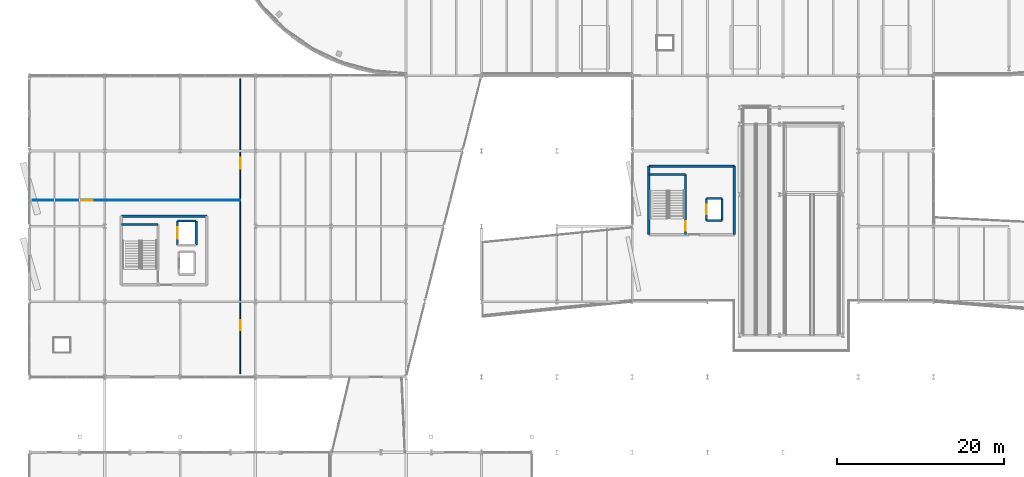
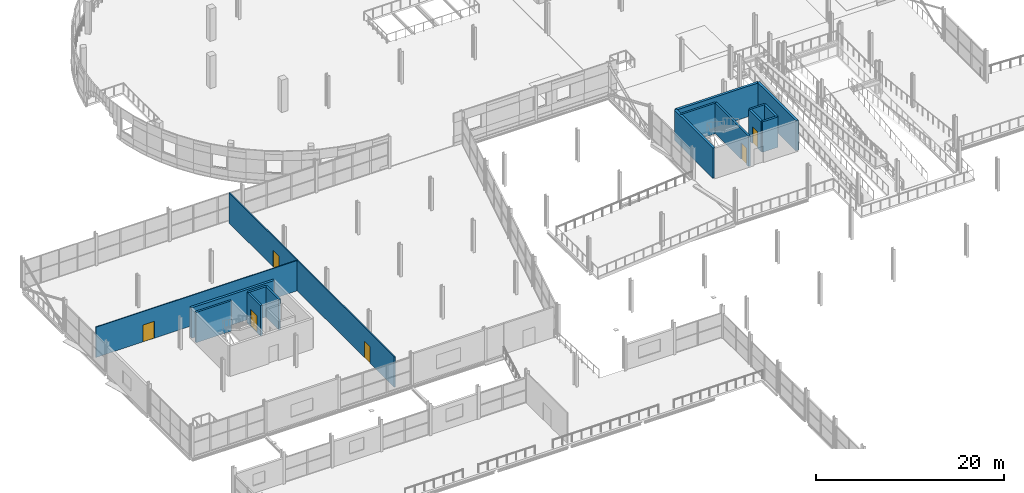
# One storey, part 114 of 135: 16 walls, 6 doors, 6 openings.
"""IFC4 building model written with IfcOpenShell, lengths in metres."""

from ifc_helpers import new_model, si_unit, direction, frame, frame_2d, origin, place, context, subcontext, project, spatial, rectangle, extrude, material, layer, layer_set, type_object, element, fill, save


model = new_model("IFC4")

# Units and contexts
model_context = context("Model", 3, precision=1e-05, world=origin(), true_north=direction((0.0, 1.0)))
body_context = subcontext(model_context, "Body", "Model", "MODEL_VIEW")
ifc_project = project(units=[si_unit("LENGTHUNIT", "METRE"), si_unit("AREAUNIT", "SQUARE_METRE"), si_unit("VOLUMEUNIT", "CUBIC_METRE"), si_unit("PLANEANGLEUNIT", "RADIAN"), si_unit("MASSUNIT", "GRAM", prefix="KILO")], contexts=[model_context])

# Site, building, storey
site_placement = place(None, origin())
site = spatial("IfcSite", under=ifc_project, at=site_placement, CompositionType="ELEMENT")
building_placement = place(site_placement, origin())
building = spatial("IfcBuilding", under=site, at=building_placement, Name="Deido Ridge Mobility Hub", CompositionType="ELEMENT")
storey_placement = place(building_placement, frame((0.0, 0.0, 4.199951171875)))
storey = spatial("IfcBuildingStorey", under=building, at=storey_placement, Name="L01", CompositionType="ELEMENT", Elevation=4.199951171875)

# Wall, opening, door
ifc_material_1 = material(Name="Concrete blockwork masonry", Category="masonry")
ifc_layer_1 = layer(ifc_material_1, 0.110107421875, Name="Concrete blockwork masonry")
ifc_layer_set_1 = layer_set([ifc_layer_1], Name="Concrete blockwork masonry")
wall_type_1 = type_object("IfcWallType", Name="WL-PRT-BLK-110", PredefinedType="PARTITIONING", material=ifc_layer_set_1)
wall_1_placement = place(storey_placement, frame((0.39990234375, 66.10009765625, 0.0), z_axis=(0.0, 0.0, 1.0), x_axis=(1.0, 0.0, 0.0)))
wall_1 = element("IfcWall", 1, at=wall_1_placement, inside=storey, type_object=wall_type_1, Name="V5 west cross partition (L01)", PredefinedType="PARTITIONING", context=body_context, shape_type="SweptSolid", body=[
    extrude(rectangle(XDim=24.800048828125, YDim=0.110107421875, at=frame_2d((12.39990234375, 0.0))), origin(), (0.0, 0.0, 1.0), 3.945068359375),
])
opening_1_placement = place(wall_1_placement, frame((5.800048828125, 0.0, 0.0)))
opening_1 = element("IfcOpeningElement", 2, at=opening_1_placement, cuts=wall_1, Name="Opening DR-L01-209", PredefinedType="OPENING", context=body_context, shape_type="SweptSolid", body=[
    extrude(rectangle(XDim=1.3798828125, YDim=2.199951171875, at=frame_2d((0.68994140625, 1.10009765625))), frame((0.0, 0.06494140625, 0.0), z_axis=(0.0, -1.0, 0.0), x_axis=(1.0, 0.0, 0.0)), (0.0, 0.0, 1.0), 0.130126953125),
])
ifc_material_2 = material(Name="Treated tropical hardwood timber D40", Category="wood")
door_type_1 = type_object("IfcDoorType", Name="DR-INT-1380X2200", OperationType="NOTDEFINED", PredefinedType="DOOR", material=ifc_material_2)
door_1_placement = place(opening_1_placement, origin())
door_1 = element("IfcDoor", 3, at=door_1_placement, inside=storey, type_object=door_type_1, Name="DR-I0209 V5 west cross door (L01)", OperationType="SINGLE_SWING_RIGHT", OverallHeight=2.199951171875, OverallWidth=1.3798828125, PredefinedType="DOOR", context=body_context, shape_type="SweptSolid", body=[
    extrude(rectangle(XDim=1.3798828125, YDim=2.199951171875, at=frame_2d((0.68994140625, 1.10009765625))), frame((0.0, 0.02490234375, 0.0), z_axis=(0.0, -1.0, 0.0), x_axis=(1.0, 0.0, 0.0)), (0.0, 0.0, 1.0), 0.050048828125),
])
fill(opening_1, door_1)

# Wall, openings, doors
ifc_layer_2 = layer(ifc_material_1, 0.139892578125, Name="Concrete blockwork masonry")
ifc_layer_set_2 = layer_set([ifc_layer_2], Name="Concrete blockwork masonry")
wall_type_2 = type_object("IfcWallType", Name="WL-PRT-BLK-140", PredefinedType="PARTITIONING", material=ifc_layer_set_2)
wall_2_placement = place(storey_placement, frame((25.199951171875, 45.39990234375, 0.0), z_axis=(0.0, 0.0, 1.0), x_axis=(0.0, 1.0, 0.0)))
wall_2 = element("IfcWall", 4, at=wall_2_placement, inside=storey, type_object=wall_type_2, Name="V5 hall longitudinal partition (L01)", PredefinedType="PARTITIONING", context=body_context, shape_type="SweptSolid", body=[
    extrude(rectangle(XDim=35.2001953125, YDim=0.139892578125, at=frame_2d((17.60009765625, 0.0))), origin(), (0.0, 0.0, 1.0), 3.945068359375),
])
opening_2_placement = place(wall_2_placement, frame((5.199951171875, 0.0, 0.0)))
opening_2 = element("IfcOpeningElement", 5, at=opening_2_placement, cuts=wall_2, Name="Opening DR-L01-207", PredefinedType="OPENING", context=body_context, shape_type="SweptSolid", body=[
    extrude(rectangle(XDim=1.179931640625, YDim=2.14990234375, at=frame_2d((0.58984375, 1.074951171875))), frame((0.0, 0.080078125, 0.0), z_axis=(0.0, -1.0, 0.0), x_axis=(1.0, 0.0, 0.0)), (0.0, 0.0, 1.0), 0.159912109375),
])
opening_3_placement = place(wall_2_placement, frame((24.5, 0.0, 0.0)))
opening_3 = element("IfcOpeningElement", 6, at=opening_3_placement, cuts=wall_2, Name="Opening DR-L01-208", PredefinedType="OPENING", context=body_context, shape_type="SweptSolid", body=[
    extrude(rectangle(XDim=1.280029296875, YDim=2.179931640625, at=frame_2d((0.64013671875, 1.08984375))), frame((0.0, 0.080078125, 0.0), z_axis=(0.0, -1.0, 0.0), x_axis=(1.0, 0.0, 0.0)), (0.0, 0.0, 1.0), 0.159912109375),
])
door_type_2 = type_object("IfcDoorType", Name="DR-INT-1180X2150", OperationType="NOTDEFINED", PredefinedType="DOOR", material=ifc_material_2)
door_2_placement = place(opening_2_placement, origin())
door_2 = element("IfcDoor", 7, at=door_2_placement, inside=storey, type_object=door_type_2, Name="DR-I0207 V5 south hall door (L01)", OperationType="SINGLE_SWING_RIGHT", OverallHeight=2.14990234375, OverallWidth=1.179931640625, PredefinedType="DOOR", context=body_context, shape_type="SweptSolid", body=[
    extrude(rectangle(XDim=1.179931640625, YDim=2.14990234375, at=frame_2d((0.58984375, 1.074951171875))), frame((0.0, 0.02490234375, 0.0), z_axis=(0.0, -1.0, 0.0), x_axis=(1.0, 0.0, 0.0)), (0.0, 0.0, 1.0), 0.050048828125),
])
fill(opening_2, door_2)
door_type_3 = type_object("IfcDoorType", Name="DR-INT-1280X2180", OperationType="NOTDEFINED", PredefinedType="DOOR", material=ifc_material_2)
door_3_placement = place(opening_3_placement, origin())
door_3 = element("IfcDoor", 8, at=door_3_placement, inside=storey, type_object=door_type_3, Name="DR-I0208 V5 north hall door (L01)", OperationType="SINGLE_SWING_LEFT", OverallHeight=2.179931640625, OverallWidth=1.280029296875, PredefinedType="DOOR", context=body_context, shape_type="SweptSolid", body=[
    extrude(rectangle(XDim=1.280029296875, YDim=2.179931640625, at=frame_2d((0.64013671875, 1.08984375))), frame((0.0, 0.02490234375, 0.0), z_axis=(0.0, -1.0, 0.0), x_axis=(1.0, 0.0, 0.0)), (0.0, 0.0, 1.0), 0.050048828125),
])
fill(opening_3, door_3)

# Wall, opening, door
ifc_material_3 = material(Name="Concrete C40/50", Category="concrete")
ifc_layer_3 = layer(ifc_material_3, 0.25, Name="Concrete C40/50")
ifc_layer_set_3 = layer_set([ifc_layer_3], Name="Concrete C40/50")
wall_type_3 = type_object("IfcWallType", Name="WL-SHR-RC-250", PredefinedType="SHEAR", material=ifc_layer_set_3)
wall_3_placement = place(storey_placement, frame((78.360107421875, 62.0, 0.0), z_axis=(0.0, 0.0, 1.0), x_axis=(0.0, 1.0, 0.0)))
wall_3 = element("IfcWall", 9, at=wall_3_placement, inside=storey, type_object=wall_type_3, Name="C4 stair shaft east wall", PredefinedType="SHEAR", context=body_context, shape_type="SweptSolid", body=[
    extrude(rectangle(XDim=7.199951171875, YDim=0.25, at=frame_2d((3.60009765625, 0.0))), origin(), (0.0, 0.0, 1.0), 3.945068359375),
])
opening_4_placement = place(wall_3_placement, frame((0.449951171875, 0.0, 0.0)))
opening_4 = element("IfcOpeningElement", 10, at=opening_4_placement, cuts=wall_3, Name="Opening FD-C4-L01", PredefinedType="OPENING", context=body_context, shape_type="SweptSolid", body=[
    extrude(rectangle(XDim=1.14990234375, YDim=2.14990234375, at=frame_2d((0.574951171875, 1.074951171875))), frame((0.0, 0.135009765625, 0.0), z_axis=(0.0, -1.0, 0.0), x_axis=(1.0, 0.0, 0.0)), (0.0, 0.0, 1.0), 0.27001953125),
])
ifc_material_4 = material(Name="Galvanised steel work", Category="steel")
door_type_4 = type_object("IfcDoorType", Name="DR-FD60-1150X2150", OperationType="NOTDEFINED", PredefinedType="DOOR", material=ifc_material_4)
door_4_placement = place(opening_4_placement, origin())
door_4 = element("IfcDoor", 11, at=door_4_placement, inside=storey, type_object=door_type_4, Name="DR-I0085 C4 protected stair door (L01)", OperationType="SINGLE_SWING_LEFT", OverallHeight=2.14990234375, OverallWidth=1.14990234375, PredefinedType="DOOR", context=body_context, shape_type="SweptSolid", body=[
    extrude(rectangle(XDim=1.14990234375, YDim=2.14990234375, at=frame_2d((0.574951171875, 1.074951171875))), frame((0.0, 0.02490234375, 0.0), z_axis=(0.0, -1.0, 0.0), x_axis=(1.0, 0.0, 0.0)), (0.0, 0.0, 1.0), 0.050048828125),
])
fill(opening_4, door_4)

# Walls
wall_4_placement = place(storey_placement, frame((74.0, 69.199951171875, 0.0), z_axis=(0.0, 0.0, 1.0), x_axis=(1.0, 0.0, 0.0)))
element("IfcWall", 12, at=wall_4_placement, inside=storey, type_object=wall_type_3, Name="C4 stair shaft north wall", PredefinedType="SHEAR", context=body_context, shape_type="SweptSolid", body=[
    extrude(rectangle(XDim=4.360107421875, YDim=0.25, at=frame_2d((2.18017578125, 0.0))), origin(), (0.0, 0.0, 1.0), 3.945068359375),
])
for number, where, z_axis, x_axis, name in (
    (13, (80.875, 63.675048828125, 0.0), (0.0, 0.0, 1.0), (1.0, 0.0, 0.0), "Lift PL2 south shaft wall"),
    (14, (80.875, 66.324951171875, 0.0), (0.0, 0.0, 1.0), (1.0, 0.0, 0.0), "Lift PL2 north shaft wall"),
):
    element("IfcWall", number, at=place(storey_placement, frame(where, z_axis=z_axis, x_axis=x_axis)), inside=storey, type_object=wall_type_3, Name=name, PredefinedType="SHEAR", context=body_context, shape_type="SweptSolid", body=[
        extrude(rectangle(XDim=1.85009765625, YDim=0.25, at=frame_2d((0.925048828125, 0.0))), origin(), (0.0, 0.0, 1.0), 3.945068359375),
    ])
wall_5_placement = place(storey_placement, frame((82.72509765625, 63.675048828125, 0.0), z_axis=(0.0, 0.0, 1.0), x_axis=(0.0, 1.0, 0.0)))
element("IfcWall", 15, at=wall_5_placement, inside=storey, type_object=wall_type_3, Name="Lift PL2 rear shaft wall", PredefinedType="SHEAR", context=body_context, shape_type="SweptSolid", body=[
    extrude(rectangle(XDim=2.64990234375, YDim=0.25, at=frame_2d((1.324951171875, 0.0))), origin(), (0.0, 0.0, 1.0), 3.945068359375),
])

# Wall, opening, door
wall_6_placement = place(storey_placement, frame((80.875, 63.675048828125, 0.0), z_axis=(0.0, 0.0, 1.0), x_axis=(0.0, 1.0, 0.0)))
wall_6 = element("IfcWall", 16, at=wall_6_placement, inside=storey, type_object=wall_type_3, Name="Lift PL2 landing wall", PredefinedType="SHEAR", context=body_context, shape_type="SweptSolid", body=[
    extrude(rectangle(XDim=2.64990234375, YDim=0.25, at=frame_2d((1.324951171875, 0.0))), origin(), (0.0, 0.0, 1.0), 3.945068359375),
])
opening_5_placement = place(wall_6_placement, frame((0.77490234375, 0.0, 0.0)))
opening_5 = element("IfcOpeningElement", 17, at=opening_5_placement, cuts=wall_6, Name="Opening LD-PL2", PredefinedType="OPENING", context=body_context, shape_type="SweptSolid", body=[
    extrude(rectangle(XDim=1.10009765625, YDim=2.14990234375, at=frame_2d((0.550048828125, 1.074951171875))), frame((0.0, 0.135009765625, 0.0), z_axis=(0.0, -1.0, 0.0), x_axis=(1.0, 0.0, 0.0)), (0.0, 0.0, 1.0), 0.27001953125),
])
ifc_material_5 = material(Name="Stainless steel 316", Category="steel")
door_type_5 = type_object("IfcDoorType", Name="DR-LND-PAS-1100X2150", OperationType="DOUBLE_DOOR_SLIDING", PredefinedType="USERDEFINED", material=ifc_material_5)
door_5_placement = place(opening_5_placement, origin())
door_5 = element("IfcDoor", 18, at=door_5_placement, inside=storey, type_object=door_type_5, Name="DR-I0087 Lift PL2 sliding landing door (L01)", ObjectType="LANDING DOOR", OperationType="DOUBLE_DOOR_SLIDING", OverallHeight=2.14990234375, OverallWidth=1.10009765625, PredefinedType="USERDEFINED", context=body_context, shape_type="SweptSolid", body=[
    extrude(rectangle(XDim=1.10009765625, YDim=2.14990234375, at=frame_2d((0.550048828125, 1.074951171875))), frame((0.0, 0.02490234375, 0.0), z_axis=(0.0, -1.0, 0.0), x_axis=(1.0, 0.0, 0.0)), (0.0, 0.0, 1.0), 0.050048828125),
])
fill(opening_5, door_5)

# Walls
wall_7_placement = place(storey_placement, frame((11.0, 63.199951171875, 0.0), z_axis=(0.0, 0.0, 1.0), x_axis=(1.0, 0.0, 0.0)))
element("IfcWall", 19, at=wall_7_placement, inside=storey, type_object=wall_type_3, Name="C6 stair shaft north wall", PredefinedType="SHEAR", context=body_context, shape_type="SweptSolid", body=[
    extrude(rectangle(XDim=4.360107421875, YDim=0.25, at=frame_2d((2.18017578125, 0.0))), origin(), (0.0, 0.0, 1.0), 3.945068359375),
])
wall_8_placement = place(storey_placement, frame((17.675048828125, 63.625, 0.0), z_axis=(0.0, 0.0, 1.0), x_axis=(1.0, 0.0, 0.0)))
element("IfcWall", 20, at=wall_8_placement, inside=storey, type_object=wall_type_3, Name="Lift GL2 north shaft wall", PredefinedType="SHEAR", context=body_context, shape_type="SweptSolid", body=[
    extrude(rectangle(XDim=2.25, YDim=0.25, at=frame_2d((1.125, 0.0))), origin(), (0.0, 0.0, 1.0), 3.945068359375),
])
wall_9_placement = place(storey_placement, frame((19.925048828125, 60.77490234375, 0.0), z_axis=(0.0, 0.0, 1.0), x_axis=(0.0, 1.0, 0.0)))
element("IfcWall", 21, at=wall_9_placement, inside=storey, type_object=wall_type_3, Name="Lift GL2 rear shaft wall", PredefinedType="SHEAR", context=body_context, shape_type="SweptSolid", body=[
    extrude(rectangle(XDim=2.85009765625, YDim=0.25, at=frame_2d((1.425048828125, 0.0))), origin(), (0.0, 0.0, 1.0), 3.945068359375),
])

# Wall, opening, door
wall_10_placement = place(storey_placement, frame((17.675048828125, 60.77490234375, 0.0), z_axis=(0.0, 0.0, 1.0), x_axis=(0.0, 1.0, 0.0)))
wall_10 = element("IfcWall", 22, at=wall_10_placement, inside=storey, type_object=wall_type_3, Name="Lift GL2 landing wall", PredefinedType="SHEAR", context=body_context, shape_type="SweptSolid", body=[
    extrude(rectangle(XDim=2.85009765625, YDim=0.25, at=frame_2d((1.425048828125, 0.0))), origin(), (0.0, 0.0, 1.0), 3.945068359375),
])
opening_6_placement = place(wall_10_placement, frame((0.72509765625, 0.0, 0.0)))
opening_6 = element("IfcOpeningElement", 23, at=opening_6_placement, cuts=wall_10, Name="Opening LD-GL2", PredefinedType="OPENING", context=body_context, shape_type="SweptSolid", body=[
    extrude(rectangle(XDim=1.39990234375, YDim=2.199951171875, at=frame_2d((0.699951171875, 1.10009765625))), frame((0.0, 0.135009765625, 0.0), z_axis=(0.0, -1.0, 0.0), x_axis=(1.0, 0.0, 0.0)), (0.0, 0.0, 1.0), 0.27001953125),
])
door_type_6 = type_object("IfcDoorType", Name="DR-LND-GDS-1400X2200", OperationType="DOUBLE_DOOR_SLIDING", PredefinedType="USERDEFINED", material=ifc_material_5)
door_6_placement = place(opening_6_placement, origin())
door_6 = element("IfcDoor", 24, at=door_6_placement, inside=storey, type_object=door_type_6, Name="DR-I0129 Lift GL2 sliding landing door (L01)", ObjectType="LANDING DOOR", OperationType="DOUBLE_DOOR_SLIDING", OverallHeight=2.199951171875, OverallWidth=1.39990234375, PredefinedType="USERDEFINED", context=body_context, shape_type="SweptSolid", body=[
    extrude(rectangle(XDim=1.39990234375, YDim=2.199951171875, at=frame_2d((0.699951171875, 1.10009765625))), frame((0.0, 0.02490234375, 0.0), z_axis=(0.0, -1.0, 0.0), x_axis=(1.0, 0.0, 0.0)), (0.0, 0.0, 1.0), 0.050048828125),
])
fill(opening_6, door_6)

# Walls
ifc_layer_4 = layer(ifc_material_3, 0.300048828125, Name="Concrete C40/50")
ifc_layer_set_4 = layer_set([ifc_layer_4], Name="Concrete C40/50")
wall_type_4 = type_object("IfcWallType", Name="WL-SHR-RC-300", PredefinedType="SHEAR", material=ifc_layer_set_4)
wall_11_placement = place(storey_placement, frame((84.199951171875, 62.0, 0.0), z_axis=(0.0, 0.0, 1.0), x_axis=(0.0, 1.0, 0.0)))
element("IfcWall", 25, at=wall_11_placement, inside=storey, type_object=wall_type_4, Name="C4 east shear wall", PredefinedType="SHEAR", context=body_context, shape_type="SweptSolid", body=[
    extrude(rectangle(XDim=8.199951171875, YDim=0.300048828125, at=frame_2d((4.10009765625, 0.0))), origin(), (0.0, 0.0, 1.0), 3.945068359375),
])
wall_12_placement = place(storey_placement, frame((84.199951171875, 70.199951171875, 0.0), z_axis=(0.0, 0.0, 1.0), x_axis=(-1.0, 0.0, 0.0)))
element("IfcWall", 26, at=wall_12_placement, inside=storey, type_object=wall_type_4, Name="C4 north shear wall", PredefinedType="SHEAR", context=body_context, shape_type="SweptSolid", body=[
    extrude(rectangle(XDim=10.199951171875, YDim=0.300048828125, at=frame_2d((5.10009765625, 0.0))), origin(), (0.0, 0.0, 1.0), 3.945068359375),
])
wall_13_placement = place(storey_placement, frame((74.0, 70.199951171875, 0.0), z_axis=(0.0, 0.0, 1.0), x_axis=(0.0, -1.0, 0.0)))
element("IfcWall", 27, at=wall_13_placement, inside=storey, type_object=wall_type_4, Name="C4 west shear wall", PredefinedType="SHEAR", context=body_context, shape_type="SweptSolid", body=[
    extrude(rectangle(XDim=8.199951171875, YDim=0.300048828125, at=frame_2d((4.10009765625, 0.0))), origin(), (0.0, 0.0, 1.0), 3.945068359375),
])
wall_14_placement = place(storey_placement, frame((21.199951171875, 64.199951171875, 0.0), z_axis=(0.0, 0.0, 1.0), x_axis=(-1.0, 0.0, 0.0)))
element("IfcWall", 28, at=wall_14_placement, inside=storey, type_object=wall_type_4, Name="C6 north shear wall", PredefinedType="SHEAR", context=body_context, shape_type="SweptSolid", body=[
    extrude(rectangle(XDim=10.199951171875, YDim=0.300048828125, at=frame_2d((5.10009765625, 0.0))), origin(), (0.0, 0.0, 1.0), 3.945068359375),
])

save(model, "model.ifc")
